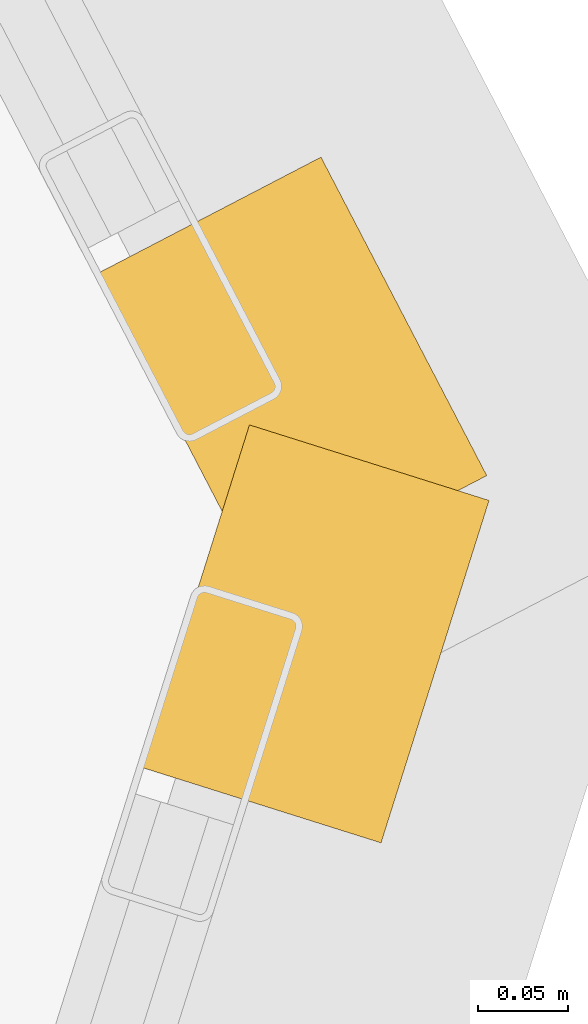
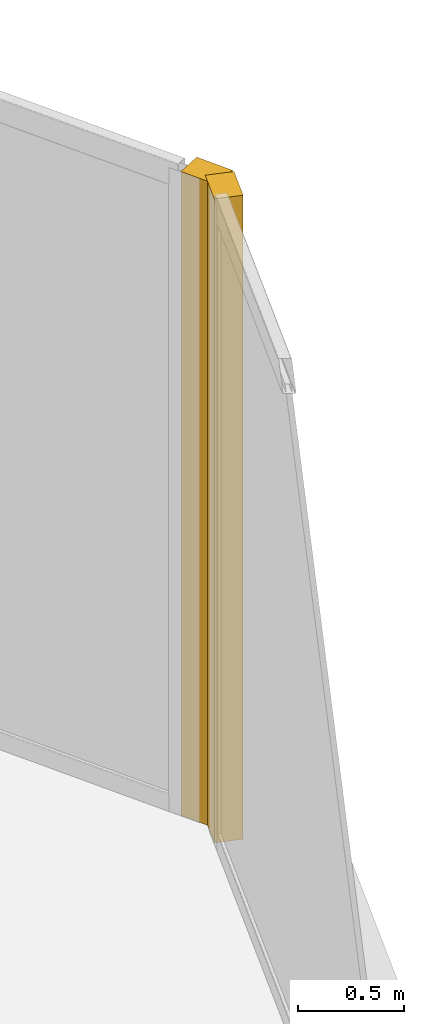
# One storey, part 28 of 28: 2 coverings.
"""IFC4 building model written with IfcOpenShell, lengths in metres."""

from ifc_helpers import new_model, si_unit, direction, frame, origin, origin_2d, place, context, subcontext, project, spatial, rectangle, extrude, source, transform, mapped, material, layer, layer_set, type_object, element, save


model = new_model("IFC4")

# Units and contexts
model_context = context("Model", 3, precision=1e-05, world=origin(), true_north=direction((0.0, 1.0)))
body_context = subcontext(model_context, "Body", "Model", "MODEL_VIEW")
ifc_project = project(units=[si_unit("LENGTHUNIT", "METRE"), si_unit("AREAUNIT", "SQUARE_METRE"), si_unit("VOLUMEUNIT", "CUBIC_METRE"), si_unit("PLANEANGLEUNIT", "RADIAN"), si_unit("MASSUNIT", "GRAM", prefix="KILO")], contexts=[model_context])

# Site, building, storey
site_placement = place(None, origin())
site = spatial("IfcSite", under=ifc_project, at=site_placement, CompositionType="ELEMENT")
building_placement = place(site_placement, origin())
building = spatial("IfcBuilding", under=site, at=building_placement, Name="Torre Montelarca", CompositionType="ELEMENT")
storey_placement = place(building_placement, frame((0.0, 0.0, 112.60009765625)))
storey = spatial("IfcBuildingStorey", under=building, at=storey_placement, Name="L25", CompositionType="ELEMENT", Elevation=112.60009765625)

# Coverings
ifc_material = material(Name="Bush-hammered warm white precast concrete C45/55", Category="concrete")
ifc_layer = layer(ifc_material, 0.139892578125, Name="Bush-hammered warm white precast concrete C45/55", Category="concrete")
ifc_layer_set = layer_set([ifc_layer], Name="Bush-hammered warm white precast concrete C45/55")
covering_type = type_object("IfcCoveringType", Name="COV-TRAY-CLAD", PredefinedType="CLADDING", material=ifc_layer_set)
shared_shape = source(origin(), body_context, "Body", "SweptSolid", [
    extrude(rectangle(XDim=0.199951171875, YDim=0.139892578125, at=origin_2d()), origin(), (0.0, 0.0, 1.0), 3.719970703125),
])
for number, where, z_axis, x_axis, name in (
    (1, (65.335205078125, 30.3251953125, 0.0), (0.0, 0.0, 1.0), (0.300707464054, 0.953716425916, 0.0), "L25 Architectural Column Pier Cladding E06-2"),
    (2, (65.322509765625, 30.4697265625, 0.0), (0.0, 0.0, 1.0), (-0.461748613235, 0.887010833178, 0.0), "L25 Architectural Column Pier Cladding E07-1"),
):
    element("IfcCovering", number, at=place(storey_placement, frame(where, z_axis=z_axis, x_axis=x_axis)), inside=storey, type_object=covering_type, Name=name, PredefinedType="CLADDING", context=body_context, shape_type="MappedRepresentation", body=[
        mapped(shared_shape, transform((0.0, 0.0, 0.0), scale=1.0)),
    ])

save(model, "model.ifc")
